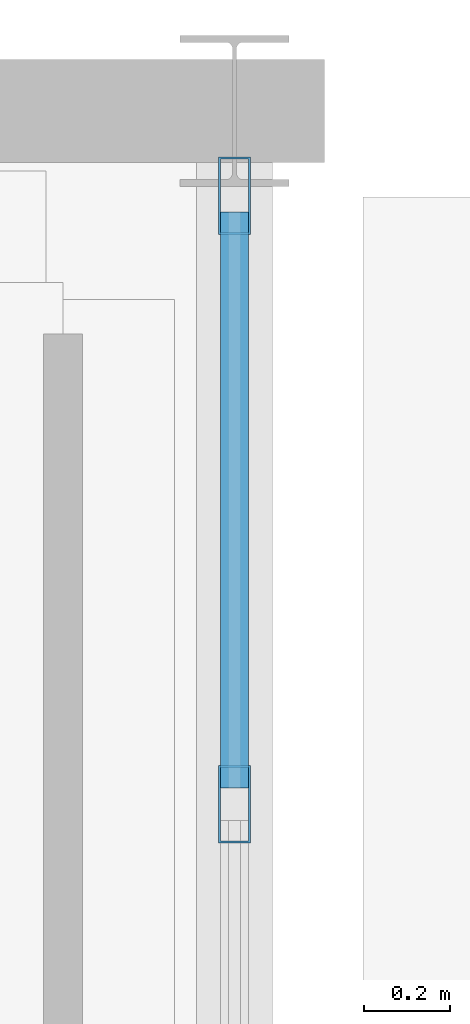
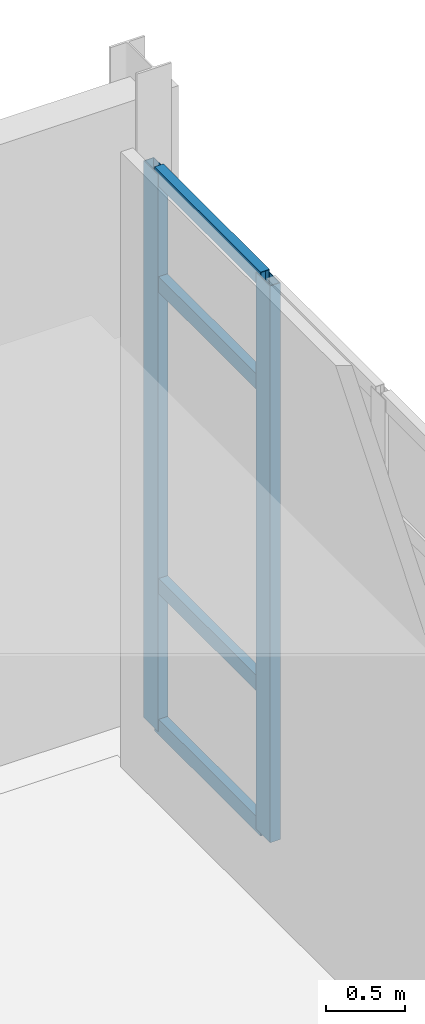
# One storey, part 76 of 161: 6 members, 1 element without a shape of its own.
"""IFC4 building model written with IfcOpenShell, lengths in metres."""

from ifc_helpers import new_model, si_unit, direction, frame, origin, origin_2d, place, context, subcontext, project, spatial, hollow_rectangle, extrude, material, material_profile, profile_set, type_object, element, aggregate, save


model = new_model("IFC4")

# Units and contexts
model_context = context("Model", 3, precision=1e-05, world=origin(), true_north=direction((0.0, 1.0)))
body_context = subcontext(model_context, "Body", "Model", "MODEL_VIEW")
ifc_project = project(units=[si_unit("LENGTHUNIT", "METRE"), si_unit("AREAUNIT", "SQUARE_METRE"), si_unit("VOLUMEUNIT", "CUBIC_METRE"), si_unit("PLANEANGLEUNIT", "RADIAN"), si_unit("MASSUNIT", "GRAM", prefix="KILO")], contexts=[model_context])

# Site, building, storey
site_placement = place(None, origin())
site = spatial("IfcSite", under=ifc_project, at=site_placement, CompositionType="ELEMENT")
building_placement = place(site_placement, origin())
building = spatial("IfcBuilding", under=site, at=building_placement, Name="Caisbarro Railhouse Central Library", CompositionType="ELEMENT")
storey_placement = place(building_placement, origin())
storey = spatial("IfcBuildingStorey", under=building, at=storey_placement, Name="L00", CompositionType="ELEMENT", Elevation=0.0)

# Curtain wall, members
ifc_material = material(Name="Anodised architectural aluminium", Category="aluminium")
curtain_wall_type = type_object("IfcCurtainWallType", Name="CW-CW02", PredefinedType="NOTDEFINED", material=ifc_material)
curtain_wall_placement = place(storey_placement, origin())
curtain_wall = element("IfcCurtainWall", 1, at=curtain_wall_placement, inside=storey, type_object=curtain_wall_type, Name="CW02 curtain wall L00 #79", PredefinedType="NOTDEFINED")
ifc_material_profile_1 = material_profile(ifc_material, hollow_rectangle(XDim=0.074951171875, YDim=0.179931640625, WallThickness=0.00439453125, at=origin_2d()), Name="ALU-MUL-75X180")
ifc_profile_set_1 = profile_set([ifc_material_profile_1], Name="Anodised architectural aluminium")
member_type_1 = type_object("IfcMemberType", Name="CWM-M01", PredefinedType="MULLION", material=ifc_profile_set_1)
member_1_placement = place(storey_placement, frame((36.0, 112.384033203125, 0.0), z_axis=(0.0, 0.0, 1.0), x_axis=(-1.0, 0.0, 0.0)))
member_1 = element("IfcMember", 2, at=member_1_placement, type_object=member_type_1, Name="CW02 mullion 5", PredefinedType="MULLION", context=body_context, shape_type="SweptSolid", body=[
    extrude(hollow_rectangle(XDim=0.074951171875, YDim=0.179931640625, WallThickness=0.00439453125, at=origin_2d()), origin(), (0.0, 0.0, 1.0), 4.300048828125),
])
member_2_placement = place(storey_placement, frame((36.0, 113.802490234375, 0.0), z_axis=(0.0, 0.0, 1.0), x_axis=(-1.0, 0.0, 0.0)))
member_2 = element("IfcMember", 3, at=member_2_placement, type_object=member_type_1, Name="CW02 mullion 6", PredefinedType="MULLION", context=body_context, shape_type="SweptSolid", body=[
    extrude(hollow_rectangle(XDim=0.074951171875, YDim=0.179931640625, WallThickness=0.00439453125, at=origin_2d()), origin(), (0.0, 0.0, 1.0), 4.300048828125),
])
ifc_material_profile_2 = material_profile(ifc_material, hollow_rectangle(XDim=0.06494140625, YDim=0.1201171875, WallThickness=0.00341796875, at=origin_2d()), Name="ALU-TRN-65X120")
ifc_profile_set_2 = profile_set([ifc_material_profile_2], Name="Anodised architectural aluminium")
member_type_2 = type_object("IfcMemberType", Name="CWT-T02", PredefinedType="USERDEFINED", material=ifc_profile_set_2)
member_3_placement = place(storey_placement, frame((36.0, 112.42138671875, 0.032470703125), z_axis=(0.0, 1.0, 0.0), x_axis=(-1.0, 0.0, 0.0)))
member_3 = element("IfcMember", 4, at=member_3_placement, type_object=member_type_2, Name="CW02 transom 5.1", ObjectType="TRANSOM", PredefinedType="USERDEFINED", context=body_context, shape_type="SweptSolid", body=[
    extrude(hollow_rectangle(XDim=0.06494140625, YDim=0.1201171875, WallThickness=0.00341796875, at=origin_2d()), origin(), (0.0, 0.0, 1.0), 1.343505859375),
])
member_4_placement = place(storey_placement, frame((36.0, 112.42138671875, 1.1201171875), z_axis=(0.0, 1.0, 0.0), x_axis=(-1.0, 0.0, 0.0)))
member_4 = element("IfcMember", 5, at=member_4_placement, type_object=member_type_2, Name="CW02 transom 5.2", ObjectType="TRANSOM", PredefinedType="USERDEFINED", context=body_context, shape_type="SweptSolid", body=[
    extrude(hollow_rectangle(XDim=0.06494140625, YDim=0.1201171875, WallThickness=0.00341796875, at=origin_2d()), origin(), (0.0, 0.0, 1.0), 1.343505859375),
])
member_5_placement = place(storey_placement, frame((36.0, 112.42138671875, 3.449951171875), z_axis=(0.0, 1.0, 0.0), x_axis=(-1.0, 0.0, 0.0)))
member_5 = element("IfcMember", 6, at=member_5_placement, type_object=member_type_2, Name="CW02 transom 5.3", ObjectType="TRANSOM", PredefinedType="USERDEFINED", context=body_context, shape_type="SweptSolid", body=[
    extrude(hollow_rectangle(XDim=0.06494140625, YDim=0.1201171875, WallThickness=0.00341796875, at=origin_2d()), origin(), (0.0, 0.0, 1.0), 1.343505859375),
])
member_6_placement = place(storey_placement, frame((36.0, 112.42138671875, 4.267578125), z_axis=(0.0, 1.0, 0.0), x_axis=(-1.0, 0.0, 0.0)))
member_6 = element("IfcMember", 7, at=member_6_placement, type_object=member_type_2, Name="CW02 transom 5.4", ObjectType="TRANSOM", PredefinedType="USERDEFINED", context=body_context, shape_type="SweptSolid", body=[
    extrude(hollow_rectangle(XDim=0.06494140625, YDim=0.1201171875, WallThickness=0.00341796875, at=origin_2d()), origin(), (0.0, 0.0, 1.0), 1.343505859375),
])
aggregate(curtain_wall, [member_1, member_2, member_3, member_4, member_5, member_6])

save(model, "model.ifc")
